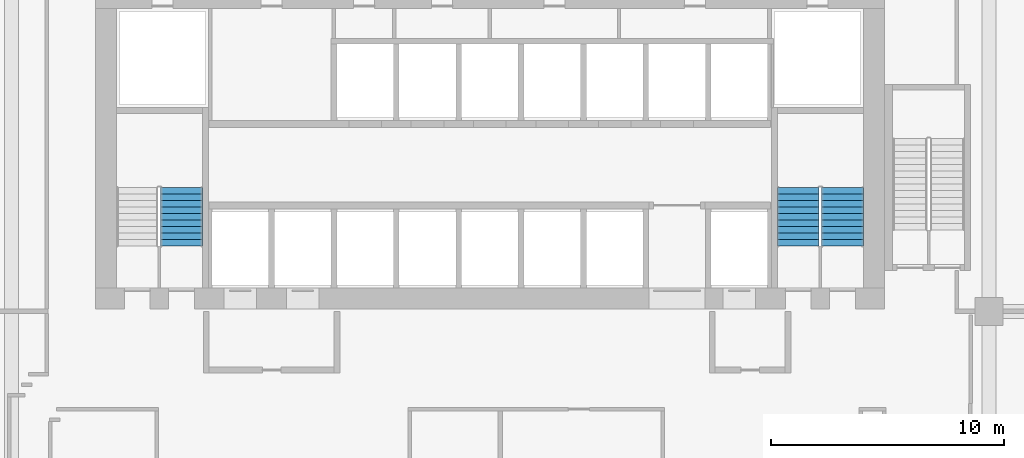
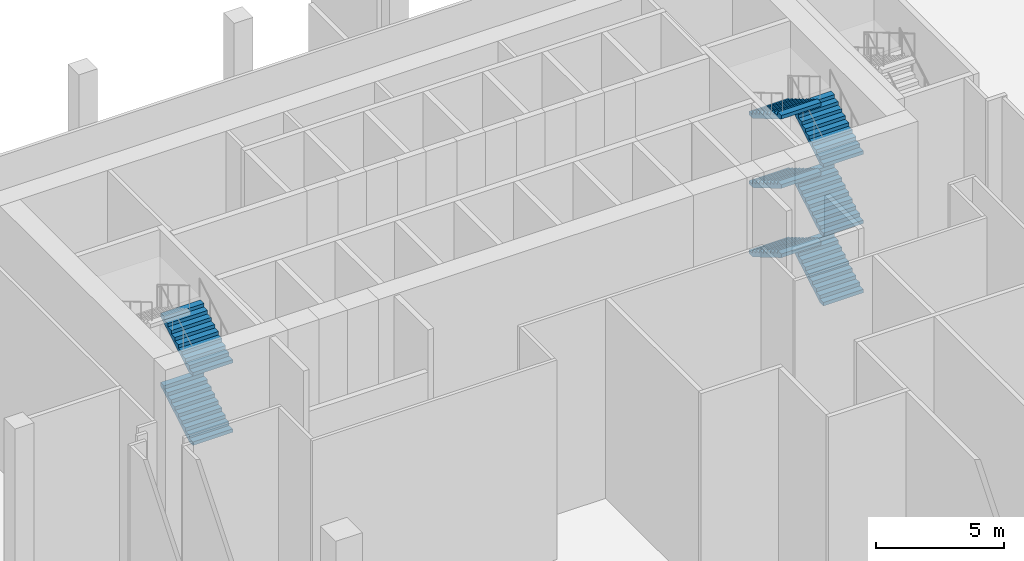
# One storey, part 8 of 12: 8 stair flights, 2 elements without a shape of their own.
"""IFC4 building model written with IfcOpenShell, lengths in metres."""

from ifc_helpers import new_model, si_unit, direction, frame, origin, place, context, subcontext, project, spatial, triangles, source, transform, mapped, material, type_object, element, aggregate, save


model = new_model("IFC4")

# Units and contexts
model_context = context("Model", 3, precision=1e-05, world=origin(), true_north=direction((0.0, 1.0)))
body_context = subcontext(model_context, "Body", "Model", "MODEL_VIEW")
ifc_project = project(units=[si_unit("LENGTHUNIT", "METRE"), si_unit("AREAUNIT", "SQUARE_METRE"), si_unit("VOLUMEUNIT", "CUBIC_METRE"), si_unit("PLANEANGLEUNIT", "RADIAN"), si_unit("MASSUNIT", "GRAM", prefix="KILO")], contexts=[model_context])

# Site, building, storey
site_placement = place(None, origin())
site = spatial("IfcSite", under=ifc_project, at=site_placement, CompositionType="ELEMENT")
building_placement = place(site_placement, origin())
building = spatial("IfcBuilding", under=site, at=building_placement, Name="Kilnfold Tower and Market Hall", CompositionType="ELEMENT")
storey_placement = place(building_placement, frame((0.0, 0.0, 128.60009765625)))
storey = spatial("IfcBuildingStorey", under=building, at=storey_placement, Name="L30 Refuge Wind Floor", CompositionType="ELEMENT", Elevation=128.60009765625)

# Stair, stair flights
ifc_material_1 = material(Name="Concrete C40/50", Category="concrete")
stair_type = type_object("IfcStairType", Name="CORE STAIR 1800", PredefinedType="HALF_TURN_STAIR", material=ifc_material_1)
stair_1_placement = place(storey_placement, origin())
stair_1 = element("IfcStair", 1, at=stair_1_placement, inside=storey, type_object=stair_type, Name="L30 Refuge Wind Floor ST1", PredefinedType="HALF_TURN_STAIR")
ifc_material_2 = material(Name="Concrete C40/50", Category="concrete")
stair_flight_type = type_object("IfcStairFlightType", Name="CORE STAIR FLIGHT 1800", PredefinedType="STRAIGHT", material=ifc_material_2)
shared_shape = source(origin(), body_context, "Body", "Tessellation", [
    triangles([(0.0, 0.89990234375, 0.0), (0.0, 0.78759765625, 0.0), (0.0, 0.675048828125, 0.0), (0.0, 0.5625, 0.0), (0.0, 0.449951171875, 0.0), (0.0, 0.33740234375, 0.0), (0.0, 0.22509765625, 0.0), (0.0, 0.112548828125, 0.0), (0.0, 0.0, 0.0), (0.0, -0.112548828125, 0.0), (0.0, -0.22509765625, 0.0), (0.0, -0.33740234375, 0.0), (0.0, -0.449951171875, 0.0), (0.0, -0.5625, 0.0), (0.0, -0.675048828125, 0.0), (0.0, -0.78759765625, 0.0), (0.0, -0.89990234375, 0.0), (0.0, 0.89990234375, 0.1650390625), (0.0, 0.78759765625, 0.1650390625), (0.0, 0.675048828125, 0.1650390625), (0.0, 0.5625, 0.1650390625), (0.0, 0.449951171875, 0.1650390625), (0.0, 0.33740234375, 0.1650390625), (0.0, 0.22509765625, 0.1650390625), (0.0, 0.112548828125, 0.1650390625), (0.0, 0.0, 0.1650390625), (0.0, -0.112548828125, 0.1650390625), (0.0, -0.22509765625, 0.1650390625), (0.0, -0.33740234375, 0.1650390625), (0.0, -0.449951171875, 0.1650390625), (0.0, -0.5625, 0.1650390625), (0.0, -0.675048828125, 0.1650390625), (0.0, -0.78759765625, 0.1650390625), (0.0, -0.89990234375, 0.1650390625), (0.280029296875, 0.89990234375, 0.1650390625), (0.280029296875, 0.78759765625, 0.1650390625), (0.280029296875, 0.675048828125, 0.1650390625), (0.280029296875, 0.5625, 0.1650390625), (0.280029296875, 0.449951171875, 0.1650390625), (0.280029296875, 0.33740234375, 0.1650390625), (0.280029296875, 0.22509765625, 0.1650390625), (0.280029296875, 0.112548828125, 0.1650390625), (0.280029296875, 0.0, 0.1650390625), (0.280029296875, -0.112548828125, 0.1650390625), (0.280029296875, -0.22509765625, 0.1650390625), (0.280029296875, -0.33740234375, 0.1650390625), (0.280029296875, -0.449951171875, 0.1650390625), (0.280029296875, -0.5625, 0.1650390625), (0.280029296875, -0.675048828125, 0.1650390625), (0.280029296875, -0.78759765625, 0.1650390625), (0.280029296875, -0.89990234375, 0.1650390625), (0.280029296875, 0.89990234375, 0.330078125), (0.280029296875, 0.78759765625, 0.330078125), (0.280029296875, 0.675048828125, 0.330078125), (0.280029296875, 0.5625, 0.330078125), (0.280029296875, 0.449951171875, 0.330078125), (0.280029296875, 0.33740234375, 0.330078125), (0.280029296875, 0.22509765625, 0.330078125), (0.280029296875, 0.112548828125, 0.330078125), (0.280029296875, 0.0, 0.330078125), (0.280029296875, -0.112548828125, 0.330078125), (0.280029296875, -0.22509765625, 0.330078125), (0.280029296875, -0.33740234375, 0.330078125), (0.280029296875, -0.449951171875, 0.330078125), (0.280029296875, -0.5625, 0.330078125), (0.280029296875, -0.675048828125, 0.330078125), (0.280029296875, -0.78759765625, 0.330078125), (0.280029296875, -0.89990234375, 0.330078125), (0.56005859375, 0.89990234375, 0.330078125), (0.56005859375, 0.78759765625, 0.330078125), (0.56005859375, 0.675048828125, 0.330078125), (0.56005859375, 0.5625, 0.330078125), (0.56005859375, 0.449951171875, 0.330078125), (0.56005859375, 0.33740234375, 0.330078125), (0.56005859375, 0.22509765625, 0.330078125), (0.56005859375, 0.112548828125, 0.330078125), (0.56005859375, 0.0, 0.330078125), (0.56005859375, -0.112548828125, 0.330078125), (0.56005859375, -0.22509765625, 0.330078125), (0.56005859375, -0.33740234375, 0.330078125), (0.56005859375, -0.449951171875, 0.330078125), (0.56005859375, -0.5625, 0.330078125), (0.56005859375, -0.675048828125, 0.330078125), (0.56005859375, -0.78759765625, 0.330078125), (0.56005859375, -0.89990234375, 0.330078125), (0.56005859375, 0.89990234375, 0.4951171875), (0.56005859375, 0.78759765625, 0.4951171875), (0.56005859375, 0.675048828125, 0.4951171875), (0.56005859375, 0.5625, 0.4951171875), (0.56005859375, 0.449951171875, 0.4951171875), (0.56005859375, 0.33740234375, 0.4951171875), (0.56005859375, 0.22509765625, 0.4951171875), (0.56005859375, 0.112548828125, 0.4951171875), (0.56005859375, 0.0, 0.4951171875), (0.56005859375, -0.112548828125, 0.4951171875), (0.56005859375, -0.22509765625, 0.4951171875), (0.56005859375, -0.33740234375, 0.4951171875), (0.56005859375, -0.449951171875, 0.4951171875), (0.56005859375, -0.5625, 0.4951171875), (0.56005859375, -0.675048828125, 0.4951171875), (0.56005859375, -0.78759765625, 0.4951171875), (0.56005859375, -0.89990234375, 0.4951171875), (0.840087890625, 0.89990234375, 0.4951171875), (0.840087890625, 0.78759765625, 0.4951171875), (0.840087890625, 0.675048828125, 0.4951171875), (0.840087890625, 0.5625, 0.4951171875), (0.840087890625, 0.449951171875, 0.4951171875), (0.840087890625, 0.33740234375, 0.4951171875), (0.840087890625, 0.22509765625, 0.4951171875), (0.840087890625, 0.112548828125, 0.4951171875), (0.840087890625, 0.0, 0.4951171875), (0.840087890625, -0.112548828125, 0.4951171875), (0.840087890625, -0.22509765625, 0.4951171875), (0.840087890625, -0.33740234375, 0.4951171875), (0.840087890625, -0.449951171875, 0.4951171875), (0.840087890625, -0.5625, 0.4951171875), (0.840087890625, -0.675048828125, 0.4951171875), (0.840087890625, -0.78759765625, 0.4951171875), (0.840087890625, -0.89990234375, 0.4951171875), (0.840087890625, 0.89990234375, 0.659912109375), (0.840087890625, 0.78759765625, 0.659912109375), (0.840087890625, 0.675048828125, 0.659912109375), (0.840087890625, 0.5625, 0.659912109375), (0.840087890625, 0.449951171875, 0.659912109375), (0.840087890625, 0.33740234375, 0.659912109375), (0.840087890625, 0.22509765625, 0.659912109375), (0.840087890625, 0.112548828125, 0.659912109375), (0.840087890625, 0.0, 0.659912109375), (0.840087890625, -0.112548828125, 0.659912109375), (0.840087890625, -0.22509765625, 0.659912109375), (0.840087890625, -0.33740234375, 0.659912109375), (0.840087890625, -0.449951171875, 0.659912109375), (0.840087890625, -0.5625, 0.659912109375), (0.840087890625, -0.675048828125, 0.659912109375), (0.840087890625, -0.78759765625, 0.659912109375), (0.840087890625, -0.89990234375, 0.659912109375), (1.1201171875, 0.89990234375, 0.659912109375), (1.1201171875, 0.78759765625, 0.659912109375), (1.1201171875, 0.675048828125, 0.659912109375), (1.1201171875, 0.5625, 0.659912109375), (1.1201171875, 0.449951171875, 0.659912109375), (1.1201171875, 0.33740234375, 0.659912109375), (1.1201171875, 0.22509765625, 0.659912109375), (1.1201171875, 0.112548828125, 0.659912109375), (1.1201171875, 0.0, 0.659912109375), (1.1201171875, -0.112548828125, 0.659912109375), (1.1201171875, -0.22509765625, 0.659912109375), (1.1201171875, -0.33740234375, 0.659912109375), (1.1201171875, -0.449951171875, 0.659912109375), (1.1201171875, -0.5625, 0.659912109375), (1.1201171875, -0.675048828125, 0.659912109375), (1.1201171875, -0.78759765625, 0.659912109375), (1.1201171875, -0.89990234375, 0.659912109375), (1.1201171875, 0.89990234375, 0.824951171875), (1.1201171875, 0.78759765625, 0.824951171875), (1.1201171875, 0.675048828125, 0.824951171875), (1.1201171875, 0.5625, 0.824951171875), (1.1201171875, 0.449951171875, 0.824951171875), (1.1201171875, 0.33740234375, 0.824951171875), (1.1201171875, 0.22509765625, 0.824951171875), (1.1201171875, 0.112548828125, 0.824951171875), (1.1201171875, 0.0, 0.824951171875), (1.1201171875, -0.112548828125, 0.824951171875), (1.1201171875, -0.22509765625, 0.824951171875), (1.1201171875, -0.33740234375, 0.824951171875), (1.1201171875, -0.449951171875, 0.824951171875), (1.1201171875, -0.5625, 0.824951171875), (1.1201171875, -0.675048828125, 0.824951171875), (1.1201171875, -0.78759765625, 0.824951171875), (1.1201171875, -0.89990234375, 0.824951171875), (1.39990234375, 0.89990234375, 0.824951171875), (1.39990234375, 0.78759765625, 0.824951171875), (1.39990234375, 0.675048828125, 0.824951171875), (1.39990234375, 0.5625, 0.824951171875), (1.39990234375, 0.449951171875, 0.824951171875), (1.39990234375, 0.33740234375, 0.824951171875), (1.39990234375, 0.22509765625, 0.824951171875), (1.39990234375, 0.112548828125, 0.824951171875), (1.39990234375, 0.0, 0.824951171875), (1.39990234375, -0.112548828125, 0.824951171875), (1.39990234375, -0.22509765625, 0.824951171875), (1.39990234375, -0.33740234375, 0.824951171875), (1.39990234375, -0.449951171875, 0.824951171875), (1.39990234375, -0.5625, 0.824951171875), (1.39990234375, -0.675048828125, 0.824951171875), (1.39990234375, -0.78759765625, 0.824951171875), (1.39990234375, -0.89990234375, 0.824951171875), (1.39990234375, 0.89990234375, 0.989990234375), (1.39990234375, 0.78759765625, 0.989990234375), (1.39990234375, 0.675048828125, 0.989990234375), (1.39990234375, 0.5625, 0.989990234375), (1.39990234375, 0.449951171875, 0.989990234375), (1.39990234375, 0.33740234375, 0.989990234375), (1.39990234375, 0.22509765625, 0.989990234375), (1.39990234375, 0.112548828125, 0.989990234375), (1.39990234375, 0.0, 0.989990234375), (1.39990234375, -0.112548828125, 0.989990234375), (1.39990234375, -0.22509765625, 0.989990234375), (1.39990234375, -0.33740234375, 0.989990234375), (1.39990234375, -0.449951171875, 0.989990234375), (1.39990234375, -0.5625, 0.989990234375), (1.39990234375, -0.675048828125, 0.989990234375), (1.39990234375, -0.78759765625, 0.989990234375), (1.39990234375, -0.89990234375, 0.989990234375), (1.679931640625, 0.89990234375, 0.989990234375), (1.679931640625, 0.78759765625, 0.989990234375), (1.679931640625, 0.675048828125, 0.989990234375), (1.679931640625, 0.5625, 0.989990234375), (1.679931640625, 0.449951171875, 0.989990234375), (1.679931640625, 0.33740234375, 0.989990234375), (1.679931640625, 0.22509765625, 0.989990234375), (1.679931640625, 0.112548828125, 0.989990234375), (1.679931640625, 0.0, 0.989990234375), (1.679931640625, -0.112548828125, 0.989990234375), (1.679931640625, -0.22509765625, 0.989990234375), (1.679931640625, -0.33740234375, 0.989990234375), (1.679931640625, -0.449951171875, 0.989990234375), (1.679931640625, -0.5625, 0.989990234375), (1.679931640625, -0.675048828125, 0.989990234375), (1.679931640625, -0.78759765625, 0.989990234375), (1.679931640625, -0.89990234375, 0.989990234375), (1.679931640625, 0.89990234375, 1.155029296875), (1.679931640625, 0.78759765625, 1.155029296875), (1.679931640625, 0.675048828125, 1.155029296875), (1.679931640625, 0.5625, 1.155029296875), (1.679931640625, 0.449951171875, 1.155029296875), (1.679931640625, 0.33740234375, 1.155029296875), (1.679931640625, 0.22509765625, 1.155029296875), (1.679931640625, 0.112548828125, 1.155029296875), (1.679931640625, 0.0, 1.155029296875), (1.679931640625, -0.112548828125, 1.155029296875), (1.679931640625, -0.22509765625, 1.155029296875), (1.679931640625, -0.33740234375, 1.155029296875), (1.679931640625, -0.449951171875, 1.155029296875), (1.679931640625, -0.5625, 1.155029296875), (1.679931640625, -0.675048828125, 1.155029296875), (1.679931640625, -0.78759765625, 1.155029296875), (1.679931640625, -0.89990234375, 1.155029296875), (1.9599609375, 0.89990234375, 1.155029296875), (1.9599609375, 0.78759765625, 1.155029296875), (1.9599609375, 0.675048828125, 1.155029296875), (1.9599609375, 0.5625, 1.155029296875), (1.9599609375, 0.449951171875, 1.155029296875), (1.9599609375, 0.33740234375, 1.155029296875), (1.9599609375, 0.22509765625, 1.155029296875), (1.9599609375, 0.112548828125, 1.155029296875), (1.9599609375, 0.0, 1.155029296875), (1.9599609375, -0.112548828125, 1.155029296875), (1.9599609375, -0.22509765625, 1.155029296875), (1.9599609375, -0.33740234375, 1.155029296875), (1.9599609375, -0.449951171875, 1.155029296875), (1.9599609375, -0.5625, 1.155029296875), (1.9599609375, -0.675048828125, 1.155029296875), (1.9599609375, -0.78759765625, 1.155029296875), (1.9599609375, -0.89990234375, 1.155029296875), (1.9599609375, 0.89990234375, 1.320068359375), (1.9599609375, 0.78759765625, 1.320068359375), (1.9599609375, 0.675048828125, 1.320068359375), (1.9599609375, 0.5625, 1.320068359375), (1.9599609375, 0.449951171875, 1.320068359375), (1.9599609375, 0.33740234375, 1.320068359375), (1.9599609375, 0.22509765625, 1.320068359375), (1.9599609375, 0.112548828125, 1.320068359375), (1.9599609375, 0.0, 1.320068359375), (1.9599609375, -0.112548828125, 1.320068359375), (1.9599609375, -0.22509765625, 1.320068359375), (1.9599609375, -0.33740234375, 1.320068359375), (1.9599609375, -0.449951171875, 1.320068359375), (1.9599609375, -0.5625, 1.320068359375), (1.9599609375, -0.675048828125, 1.320068359375), (1.9599609375, -0.78759765625, 1.320068359375), (1.9599609375, -0.89990234375, 1.320068359375), (2.239990234375, 0.89990234375, 1.320068359375), (2.239990234375, 0.78759765625, 1.320068359375), (2.239990234375, 0.675048828125, 1.320068359375), (2.239990234375, 0.5625, 1.320068359375), (2.239990234375, 0.449951171875, 1.320068359375), (2.239990234375, 0.33740234375, 1.320068359375), (2.239990234375, 0.22509765625, 1.320068359375), (2.239990234375, 0.112548828125, 1.320068359375), (2.239990234375, 0.0, 1.320068359375), (2.239990234375, -0.112548828125, 1.320068359375), (2.239990234375, -0.22509765625, 1.320068359375), (2.239990234375, -0.33740234375, 1.320068359375), (2.239990234375, -0.449951171875, 1.320068359375), (2.239990234375, -0.5625, 1.320068359375), (2.239990234375, -0.675048828125, 1.320068359375), (2.239990234375, -0.78759765625, 1.320068359375), (2.239990234375, -0.89990234375, 1.320068359375), (2.239990234375, 0.89990234375, 1.485107421875), (2.239990234375, 0.78759765625, 1.485107421875), (2.239990234375, 0.675048828125, 1.485107421875), (2.239990234375, 0.5625, 1.485107421875), (2.239990234375, 0.449951171875, 1.485107421875), (2.239990234375, 0.33740234375, 1.485107421875), (2.239990234375, 0.22509765625, 1.485107421875), (2.239990234375, 0.112548828125, 1.485107421875), (2.239990234375, 0.0, 1.485107421875), (2.239990234375, -0.112548828125, 1.485107421875), (2.239990234375, -0.22509765625, 1.485107421875), (2.239990234375, -0.33740234375, 1.485107421875), (2.239990234375, -0.449951171875, 1.485107421875), (2.239990234375, -0.5625, 1.485107421875), (2.239990234375, -0.675048828125, 1.485107421875), (2.239990234375, -0.78759765625, 1.485107421875), (2.239990234375, -0.89990234375, 1.485107421875), (2.52001953125, 0.89990234375, 1.485107421875), (2.52001953125, 0.78759765625, 1.485107421875), (2.52001953125, 0.675048828125, 1.485107421875), (2.52001953125, 0.5625, 1.485107421875), (2.52001953125, 0.449951171875, 1.485107421875), (2.52001953125, 0.33740234375, 1.485107421875), (2.52001953125, 0.22509765625, 1.485107421875), (2.52001953125, 0.112548828125, 1.485107421875), (2.52001953125, 0.0, 1.485107421875), (2.52001953125, -0.112548828125, 1.485107421875), (2.52001953125, -0.22509765625, 1.485107421875), (2.52001953125, -0.33740234375, 1.485107421875), (2.52001953125, -0.449951171875, 1.485107421875), (2.52001953125, -0.5625, 1.485107421875), (2.52001953125, -0.675048828125, 1.485107421875), (2.52001953125, -0.78759765625, 1.485107421875), (2.52001953125, -0.89990234375, 1.485107421875), (2.52001953125, 0.89990234375, 1.31103515625), (2.52001953125, 0.78759765625, 1.31103515625), (2.52001953125, 0.675048828125, 1.31103515625), (2.52001953125, 0.5625, 1.31103515625), (2.52001953125, 0.449951171875, 1.31103515625), (2.52001953125, 0.33740234375, 1.31103515625), (2.52001953125, 0.22509765625, 1.31103515625), (2.52001953125, 0.112548828125, 1.31103515625), (2.52001953125, 0.0, 1.31103515625), (2.52001953125, -0.112548828125, 1.31103515625), (2.52001953125, -0.22509765625, 1.31103515625), (2.52001953125, -0.33740234375, 1.31103515625), (2.52001953125, -0.449951171875, 1.31103515625), (2.52001953125, -0.5625, 1.31103515625), (2.52001953125, -0.675048828125, 1.31103515625), (2.52001953125, -0.78759765625, 1.31103515625), (2.52001953125, -0.89990234375, 1.31103515625), (0.295166015625, 0.89990234375, 0.0), (0.295166015625, 0.78759765625, 0.0), (0.295166015625, 0.675048828125, 0.0), (0.295166015625, 0.5625, 0.0), (0.295166015625, 0.449951171875, 0.0), (0.295166015625, 0.33740234375, 0.0), (0.295166015625, 0.22509765625, 0.0), (0.295166015625, 0.112548828125, 0.0), (0.295166015625, 0.0, 0.0), (0.295166015625, -0.112548828125, 0.0), (0.295166015625, -0.22509765625, 0.0), (0.295166015625, -0.33740234375, 0.0), (0.295166015625, -0.449951171875, 0.0), (0.295166015625, -0.5625, 0.0), (0.295166015625, -0.675048828125, 0.0), (0.295166015625, -0.78759765625, 0.0), (0.295166015625, -0.89990234375, 0.0)], [[1, 324, 341], [17, 357, 340], [324, 290, 307], [340, 323, 306], [324, 273, 290], [340, 306, 289], [324, 256, 273], [340, 289, 272], [324, 239, 256], [340, 272, 255], [239, 205, 222], [255, 238, 221], [324, 205, 239], [340, 255, 221], [205, 171, 188], [221, 204, 187], [324, 171, 205], [340, 221, 187], [171, 137, 154], [187, 170, 153], [324, 137, 171], [340, 187, 153], [1, 137, 324], [17, 340, 153], [137, 103, 120], [153, 136, 119], [103, 69, 86], [119, 102, 85], [137, 69, 103], [153, 119, 85], [69, 35, 52], [85, 68, 51], [137, 35, 69], [153, 85, 51], [1, 35, 137], [17, 153, 51], [35, 1, 18], [51, 34, 17], [1, 19, 18], [1, 2, 19], [2, 20, 19], [2, 3, 20], [3, 21, 20], [3, 4, 21], [4, 22, 21], [4, 5, 22], [5, 23, 22], [5, 6, 23], [6, 24, 23], [6, 7, 24], [7, 25, 24], [7, 8, 25], [8, 26, 25], [8, 9, 26], [9, 27, 26], [9, 10, 27], [10, 28, 27], [10, 11, 28], [11, 29, 28], [11, 12, 29], [12, 30, 29], [12, 13, 30], [13, 31, 30], [13, 14, 31], [14, 32, 31], [14, 15, 32], [15, 33, 32], [15, 16, 33], [16, 34, 33], [16, 17, 34], [18, 36, 35], [18, 19, 36], [19, 37, 36], [19, 20, 37], [20, 38, 37], [20, 21, 38], [21, 39, 38], [21, 22, 39], [22, 40, 39], [22, 23, 40], [23, 41, 40], [23, 24, 41], [24, 42, 41], [24, 25, 42], [25, 43, 42], [25, 26, 43], [26, 44, 43], [26, 27, 44], [27, 45, 44], [27, 28, 45], [28, 46, 45], [28, 29, 46], [29, 47, 46], [29, 30, 47], [30, 48, 47], [30, 31, 48], [31, 49, 48], [31, 32, 49], [32, 50, 49], [32, 33, 50], [33, 51, 50], [33, 34, 51], [35, 53, 52], [35, 36, 53], [36, 54, 53], [36, 37, 54], [37, 55, 54], [37, 38, 55], [38, 56, 55], [38, 39, 56], [39, 57, 56], [39, 40, 57], [40, 58, 57], [40, 41, 58], [41, 59, 58], [41, 42, 59], [42, 60, 59], [42, 43, 60], [43, 61, 60], [43, 44, 61], [44, 62, 61], [44, 45, 62], [45, 63, 62], [45, 46, 63], [46, 64, 63], [46, 47, 64], [47, 65, 64], [47, 48, 65], [48, 66, 65], [48, 49, 66], [49, 67, 66], [49, 50, 67], [50, 68, 67], [50, 51, 68], [52, 70, 69], [52, 53, 70], [53, 71, 70], [53, 54, 71], [54, 72, 71], [54, 55, 72], [55, 73, 72], [55, 56, 73], [56, 74, 73], [56, 57, 74], [57, 75, 74], [57, 58, 75], [58, 76, 75], [58, 59, 76], [59, 77, 76], [59, 60, 77], [60, 78, 77], [60, 61, 78], [61, 79, 78], [61, 62, 79], [62, 80, 79], [62, 63, 80], [63, 81, 80], [63, 64, 81], [64, 82, 81], [64, 65, 82], [65, 83, 82], [65, 66, 83], [66, 84, 83], [66, 67, 84], [67, 85, 84], [67, 68, 85], [69, 87, 86], [69, 70, 87], [70, 88, 87], [70, 71, 88], [71, 89, 88], [71, 72, 89], [72, 90, 89], [72, 73, 90], [73, 91, 90], [73, 74, 91], [74, 92, 91], [74, 75, 92], [75, 93, 92], [75, 76, 93], [76, 94, 93], [76, 77, 94], [77, 95, 94], [77, 78, 95], [78, 96, 95], [78, 79, 96], [79, 97, 96], [79, 80, 97], [80, 98, 97], [80, 81, 98], [81, 99, 98], [81, 82, 99], [82, 100, 99], [82, 83, 100], [83, 101, 100], [83, 84, 101], [84, 102, 101], [84, 85, 102], [86, 104, 103], [86, 87, 104], [87, 105, 104], [87, 88, 105], [88, 106, 105], [88, 89, 106], [89, 107, 106], [89, 90, 107], [90, 108, 107], [90, 91, 108], [91, 109, 108], [91, 92, 109], [92, 110, 109], [92, 93, 110], [93, 111, 110], [93, 94, 111], [94, 112, 111], [94, 95, 112], [95, 113, 112], [95, 96, 113], [96, 114, 113], [96, 97, 114], [97, 115, 114], [97, 98, 115], [98, 116, 115], [98, 99, 116], [99, 117, 116], [99, 100, 117], [100, 118, 117], [100, 101, 118], [101, 119, 118], [101, 102, 119], [103, 121, 120], [103, 104, 121], [104, 122, 121], [104, 105, 122], [105, 123, 122], [105, 106, 123], [106, 124, 123], [106, 107, 124], [107, 125, 124], [107, 108, 125], [108, 126, 125], [108, 109, 126], [109, 127, 126], [109, 110, 127], [110, 128, 127], [110, 111, 128], [111, 129, 128], [111, 112, 129], [112, 130, 129], [112, 113, 130], [113, 131, 130], [113, 114, 131], [114, 132, 131], [114, 115, 132], [115, 133, 132], [115, 116, 133], [116, 134, 133], [116, 117, 134], [117, 135, 134], [117, 118, 135], [118, 136, 135], [118, 119, 136], [120, 138, 137], [120, 121, 138], [121, 139, 138], [121, 122, 139], [122, 140, 139], [122, 123, 140], [123, 141, 140], [123, 124, 141], [124, 142, 141], [124, 125, 142], [125, 143, 142], [125, 126, 143], [126, 144, 143], [126, 127, 144], [127, 145, 144], [127, 128, 145], [128, 146, 145], [128, 129, 146], [129, 147, 146], [129, 130, 147], [130, 148, 147], [130, 131, 148], [131, 149, 148], [131, 132, 149], [132, 150, 149], [132, 133, 150], [133, 151, 150], [133, 134, 151], [134, 152, 151], [134, 135, 152], [135, 153, 152], [135, 136, 153], [137, 155, 154], [137, 138, 155], [138, 156, 155], [138, 139, 156], [139, 157, 156], [139, 140, 157], [140, 158, 157], [140, 141, 158], [141, 159, 158], [141, 142, 159], [142, 160, 159], [142, 143, 160], [143, 161, 160], [143, 144, 161], [144, 162, 161], [144, 145, 162], [145, 163, 162], [145, 146, 163], [146, 164, 163], [146, 147, 164], [147, 165, 164], [147, 148, 165], [148, 166, 165], [148, 149, 166], [149, 167, 166], [149, 150, 167], [150, 168, 167], [150, 151, 168], [151, 169, 168], [151, 152, 169], [152, 170, 169], [152, 153, 170], [154, 172, 171], [154, 155, 172], [155, 173, 172], [155, 156, 173], [156, 174, 173], [156, 157, 174], [157, 175, 174], [157, 158, 175], [158, 176, 175], [158, 159, 176], [159, 177, 176], [159, 160, 177], [160, 178, 177], [160, 161, 178], [161, 179, 178], [161, 162, 179], [162, 180, 179], [162, 163, 180], [163, 181, 180], [163, 164, 181], [164, 182, 181], [164, 165, 182], [165, 183, 182], [165, 166, 183], [166, 184, 183], [166, 167, 184], [167, 185, 184], [167, 168, 185], [168, 186, 185], [168, 169, 186], [169, 187, 186], [169, 170, 187], [171, 189, 188], [171, 172, 189], [172, 190, 189], [172, 173, 190], [173, 191, 190], [173, 174, 191], [174, 192, 191], [174, 175, 192], [175, 193, 192], [175, 176, 193], [176, 194, 193], [176, 177, 194], [177, 195, 194], [177, 178, 195], [178, 196, 195], [178, 179, 196], [179, 197, 196], [179, 180, 197], [180, 198, 197], [180, 181, 198], [181, 199, 198], [181, 182, 199], [182, 200, 199], [182, 183, 200], [183, 201, 200], [183, 184, 201], [184, 202, 201], [184, 185, 202], [185, 203, 202], [185, 186, 203], [186, 204, 203], [186, 187, 204], [188, 206, 205], [188, 189, 206], [189, 207, 206], [189, 190, 207], [190, 208, 207], [190, 191, 208], [191, 209, 208], [191, 192, 209], [192, 210, 209], [192, 193, 210], [193, 211, 210], [193, 194, 211], [194, 212, 211], [194, 195, 212], [195, 213, 212], [195, 196, 213], [196, 214, 213], [196, 197, 214], [197, 215, 214], [197, 198, 215], [198, 216, 215], [198, 199, 216], [199, 217, 216], [199, 200, 217], [200, 218, 217], [200, 201, 218], [201, 219, 218], [201, 202, 219], [202, 220, 219], [202, 203, 220], [203, 221, 220], [203, 204, 221], [205, 223, 222], [205, 206, 223], [206, 224, 223], [206, 207, 224], [207, 225, 224], [207, 208, 225], [208, 226, 225], [208, 209, 226], [209, 227, 226], [209, 210, 227], [210, 228, 227], [210, 211, 228], [211, 229, 228], [211, 212, 229], [212, 230, 229], [212, 213, 230], [213, 231, 230], [213, 214, 231], [214, 232, 231], [214, 215, 232], [215, 233, 232], [215, 216, 233], [216, 234, 233], [216, 217, 234], [217, 235, 234], [217, 218, 235], [218, 236, 235], [218, 219, 236], [219, 237, 236], [219, 220, 237], [220, 238, 237], [220, 221, 238], [222, 240, 239], [222, 223, 240], [223, 241, 240], [223, 224, 241], [224, 242, 241], [224, 225, 242], [225, 243, 242], [225, 226, 243], [226, 244, 243], [226, 227, 244], [227, 245, 244], [227, 228, 245], [228, 246, 245], [228, 229, 246], [229, 247, 246], [229, 230, 247], [230, 248, 247], [230, 231, 248], [231, 249, 248], [231, 232, 249], [232, 250, 249], [232, 233, 250], [233, 251, 250], [233, 234, 251], [234, 252, 251], [234, 235, 252], [235, 253, 252], [235, 236, 253], [236, 254, 253], [236, 237, 254], [237, 255, 254], [237, 238, 255], [239, 257, 256], [239, 240, 257], [240, 258, 257], [240, 241, 258], [241, 259, 258], [241, 242, 259], [242, 260, 259], [242, 243, 260], [243, 261, 260], [243, 244, 261], [244, 262, 261], [244, 245, 262], [245, 263, 262], [245, 246, 263], [246, 264, 263], [246, 247, 264], [247, 265, 264], [247, 248, 265], [248, 266, 265], [248, 249, 266], [249, 267, 266], [249, 250, 267], [250, 268, 267], [250, 251, 268], [251, 269, 268], [251, 252, 269], [252, 270, 269], [252, 253, 270], [253, 271, 270], [253, 254, 271], [254, 272, 271], [254, 255, 272], [256, 274, 273], [256, 257, 274], [257, 275, 274], [257, 258, 275], [258, 276, 275], [258, 259, 276], [259, 277, 276], [259, 260, 277], [260, 278, 277], [260, 261, 278], [261, 279, 278], [261, 262, 279], [262, 280, 279], [262, 263, 280], [263, 281, 280], [263, 264, 281], [264, 282, 281], [264, 265, 282], [265, 283, 282], [265, 266, 283], [266, 284, 283], [266, 267, 284], [267, 285, 284], [267, 268, 285], [268, 286, 285], [268, 269, 286], [269, 287, 286], [269, 270, 287], [270, 288, 287], [270, 271, 288], [271, 289, 288], [271, 272, 289], [273, 291, 290], [273, 274, 291], [274, 292, 291], [274, 275, 292], [275, 293, 292], [275, 276, 293], [276, 294, 293], [276, 277, 294], [277, 295, 294], [277, 278, 295], [278, 296, 295], [278, 279, 296], [279, 297, 296], [279, 280, 297], [280, 298, 297], [280, 281, 298], [281, 299, 298], [281, 282, 299], [282, 300, 299], [282, 283, 300], [283, 301, 300], [283, 284, 301], [284, 302, 301], [284, 285, 302], [285, 303, 302], [285, 286, 303], [286, 304, 303], [286, 287, 304], [287, 305, 304], [287, 288, 305], [288, 306, 305], [288, 289, 306], [290, 308, 307], [290, 291, 308], [291, 309, 308], [291, 292, 309], [292, 310, 309], [292, 293, 310], [293, 311, 310], [293, 294, 311], [294, 312, 311], [294, 295, 312], [295, 313, 312], [295, 296, 313], [296, 314, 313], [296, 297, 314], [297, 315, 314], [297, 298, 315], [298, 316, 315], [298, 299, 316], [299, 317, 316], [299, 300, 317], [300, 318, 317], [300, 301, 318], [301, 319, 318], [301, 302, 319], [302, 320, 319], [302, 303, 320], [303, 321, 320], [303, 304, 321], [304, 322, 321], [304, 305, 322], [305, 323, 322], [305, 306, 323], [307, 325, 324], [307, 308, 325], [308, 326, 325], [308, 309, 326], [309, 327, 326], [309, 310, 327], [310, 328, 327], [310, 311, 328], [311, 329, 328], [311, 312, 329], [312, 330, 329], [312, 313, 330], [313, 331, 330], [313, 314, 331], [314, 332, 331], [314, 315, 332], [315, 333, 332], [315, 316, 333], [316, 334, 333], [316, 317, 334], [317, 335, 334], [317, 318, 335], [318, 336, 335], [318, 319, 336], [319, 337, 336], [319, 320, 337], [320, 338, 337], [320, 321, 338], [321, 339, 338], [321, 322, 339], [322, 340, 339], [322, 323, 340], [324, 342, 341], [324, 325, 342], [325, 343, 342], [325, 326, 343], [326, 344, 343], [326, 327, 344], [327, 345, 344], [327, 328, 345], [328, 346, 345], [328, 329, 346], [329, 347, 346], [329, 330, 347], [330, 348, 347], [330, 331, 348], [331, 349, 348], [331, 332, 349], [332, 350, 349], [332, 333, 350], [333, 351, 350], [333, 334, 351], [334, 352, 351], [334, 335, 352], [335, 353, 352], [335, 336, 353], [336, 354, 353], [336, 337, 354], [337, 355, 354], [337, 338, 355], [338, 356, 355], [338, 339, 356], [339, 357, 356], [339, 340, 357], [341, 2, 1], [341, 342, 2], [342, 3, 2], [342, 343, 3], [343, 4, 3], [343, 344, 4], [344, 5, 4], [344, 345, 5], [345, 6, 5], [345, 346, 6], [346, 7, 6], [346, 347, 7], [347, 8, 7], [347, 348, 8], [348, 9, 8], [348, 349, 9], [349, 10, 9], [349, 350, 10], [350, 11, 10], [350, 351, 11], [351, 12, 11], [351, 352, 12], [352, 13, 12], [352, 353, 13], [353, 14, 13], [353, 354, 14], [354, 15, 14], [354, 355, 15], [355, 16, 15], [355, 356, 16], [356, 17, 16], [356, 357, 17]], closed=True),
])
stair_flight_1_placement = place(storey_placement, frame((-12.199951171875, 10.800048828125, 3.2998046875), z_axis=(0.0, 0.0, 1.0), x_axis=(0.0, 1.0, 0.0)))
stair_flight_1 = element("IfcStairFlight", 2, at=stair_flight_1_placement, type_object=stair_flight_type, Name="ST1 flight 3", NumberOfRisers=10, NumberOfTreads=9, PredefinedType="STRAIGHT", RiserHeight=0.165, TreadLength=0.28, context=body_context, shape_type="MappedRepresentation", body=[
    mapped(shared_shape, transform((0.0, 0.0, 0.0))),
])
stair_flight_2_placement = place(storey_placement, frame((-12.199951171875, 10.800048828125, 6.599853515625), z_axis=(0.0, 0.0, 1.0), x_axis=(0.0, 1.0, 0.0)))
stair_flight_2 = element("IfcStairFlight", 3, at=stair_flight_2_placement, type_object=stair_flight_type, Name="ST1 flight 5", NumberOfRisers=10, NumberOfTreads=9, PredefinedType="STRAIGHT", RiserHeight=0.165, TreadLength=0.28, context=body_context, shape_type="MappedRepresentation", body=[
    mapped(shared_shape, transform((0.0, 0.0, 0.0))),
])
aggregate(stair_1, [stair_flight_1, stair_flight_2])

stair_2_placement = place(storey_placement, origin())
stair_2 = element("IfcStair", 4, at=stair_2_placement, inside=storey, type_object=stair_type, Name="L30 Refuge Wind Floor ST2", PredefinedType="HALF_TURN_STAIR")
stair_flight_3_placement = place(storey_placement, frame((16.199951171875, 10.800048828125, 0.0), z_axis=(0.0, 0.0, 1.0), x_axis=(0.0, 1.0, 0.0)))
stair_flight_3 = element("IfcStairFlight", 5, at=stair_flight_3_placement, type_object=stair_flight_type, Name="ST2 flight 1", NumberOfRisers=10, NumberOfTreads=9, PredefinedType="STRAIGHT", RiserHeight=0.165, TreadLength=0.28, context=body_context, shape_type="MappedRepresentation", body=[
    mapped(shared_shape, transform((0.0, 0.0, 0.0))),
])
stair_flight_4_placement = place(storey_placement, frame((14.300048828125, 13.320068359375, 1.64990234375), z_axis=(0.0, 0.0, 1.0), x_axis=(0.0, -1.0, 0.0)))
stair_flight_4 = element("IfcStairFlight", 6, at=stair_flight_4_placement, type_object=stair_flight_type, Name="ST2 flight 2", NumberOfRisers=10, NumberOfTreads=9, PredefinedType="STRAIGHT", RiserHeight=0.165, TreadLength=0.28, context=body_context, shape_type="MappedRepresentation", body=[
    mapped(shared_shape, transform((0.0, 0.0, 0.0))),
])
stair_flight_5_placement = place(storey_placement, frame((16.199951171875, 10.800048828125, 3.2998046875), z_axis=(0.0, 0.0, 1.0), x_axis=(0.0, 1.0, 0.0)))
stair_flight_5 = element("IfcStairFlight", 7, at=stair_flight_5_placement, type_object=stair_flight_type, Name="ST2 flight 3", NumberOfRisers=10, NumberOfTreads=9, PredefinedType="STRAIGHT", RiserHeight=0.165, TreadLength=0.28, context=body_context, shape_type="MappedRepresentation", body=[
    mapped(shared_shape, transform((0.0, 0.0, 0.0))),
])
stair_flight_6_placement = place(storey_placement, frame((14.300048828125, 13.320068359375, 4.949951171875), z_axis=(0.0, 0.0, 1.0), x_axis=(0.0, -1.0, 0.0)))
stair_flight_6 = element("IfcStairFlight", 8, at=stair_flight_6_placement, type_object=stair_flight_type, Name="ST2 flight 4", NumberOfRisers=10, NumberOfTreads=9, PredefinedType="STRAIGHT", RiserHeight=0.165, TreadLength=0.28, context=body_context, shape_type="MappedRepresentation", body=[
    mapped(shared_shape, transform((0.0, 0.0, 0.0))),
])
stair_flight_7_placement = place(storey_placement, frame((16.199951171875, 10.800048828125, 6.599853515625), z_axis=(0.0, 0.0, 1.0), x_axis=(0.0, 1.0, 0.0)))
stair_flight_7 = element("IfcStairFlight", 9, at=stair_flight_7_placement, type_object=stair_flight_type, Name="ST2 flight 5", NumberOfRisers=10, NumberOfTreads=9, PredefinedType="STRAIGHT", RiserHeight=0.165, TreadLength=0.28, context=body_context, shape_type="MappedRepresentation", body=[
    mapped(shared_shape, transform((0.0, 0.0, 0.0))),
])
stair_flight_8_placement = place(storey_placement, frame((14.300048828125, 13.320068359375, 8.25), z_axis=(0.0, 0.0, 1.0), x_axis=(0.0, -1.0, 0.0)))
stair_flight_8 = element("IfcStairFlight", 10, at=stair_flight_8_placement, type_object=stair_flight_type, Name="ST2 flight 6", NumberOfRisers=10, NumberOfTreads=9, PredefinedType="STRAIGHT", RiserHeight=0.165, TreadLength=0.28, context=body_context, shape_type="MappedRepresentation", body=[
    mapped(shared_shape, transform((0.0, 0.0, 0.0))),
])
aggregate(stair_2, [stair_flight_3, stair_flight_4, stair_flight_5, stair_flight_6, stair_flight_7, stair_flight_8])

save(model, "model.ifc")
